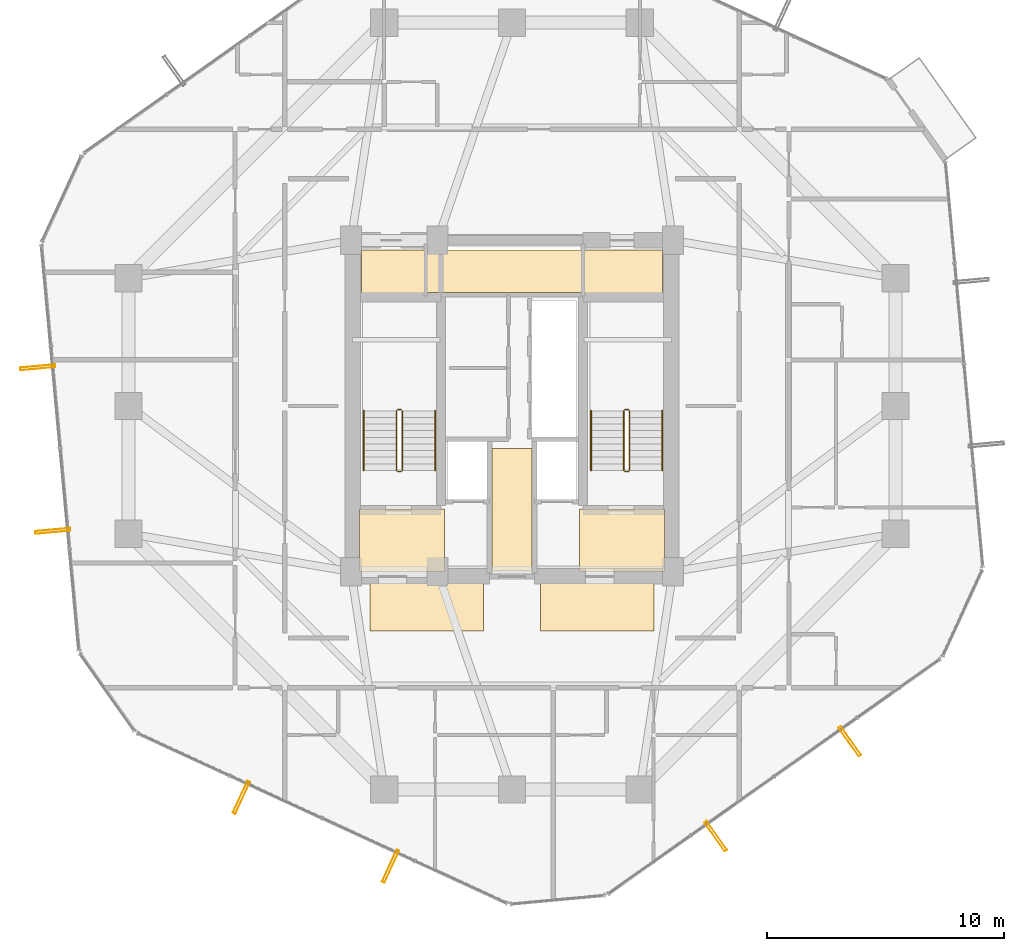
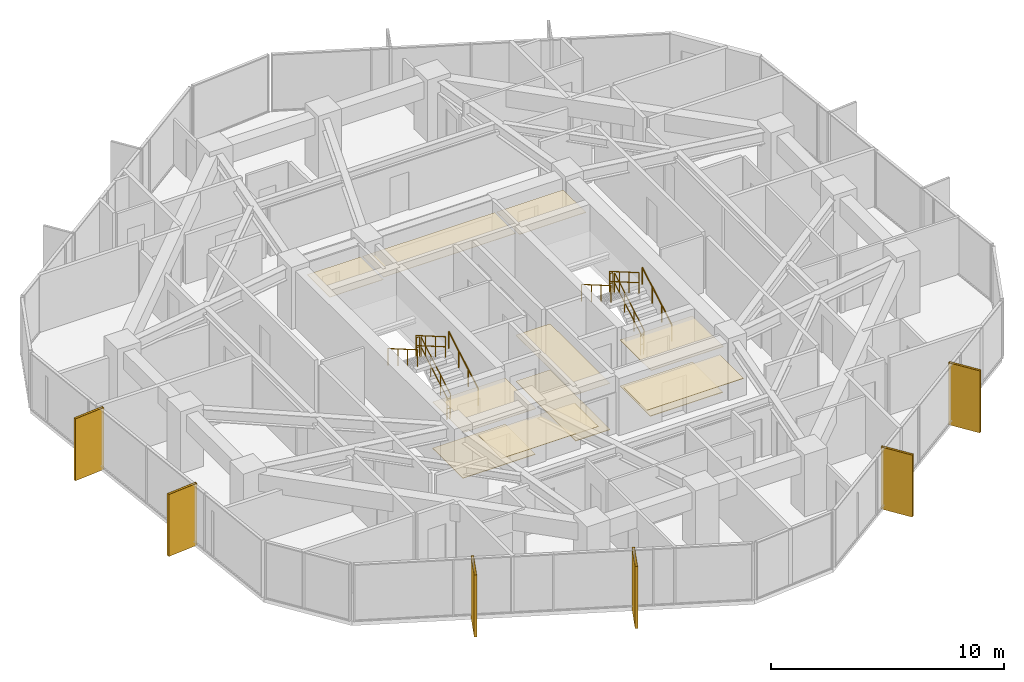
# One storey, part 32 of 33: 12 railings, 11 coverings, 6 shading devices.
"""IFC4 building model written with IfcOpenShell, lengths in metres."""

import ifcopenshell
import ifcopenshell.guid

model = None  # the IFC model being written
_history = None  # IfcOwnerHistory: only IFC2X3 demands one
_inside = {}  # id of a spatial element -> (the spatial element, [elements in it])
_under = {}  # id of a project, library or spatial element -> (it, [spatial elements below it])
_declared = {}  # id of a project -> (the project, [libraries it declares])
_typed = {}  # id of a type object -> (the type object, [elements of that type])
_made_of = {}  # id of a material, layer set ... -> (it, [elements and type objects made of it])


def new_model(schema):
    """Start an empty IFC model of exactly this schema.

    Asked for "IFC4X3", IfcOpenShell would pick the latest addendum, in which some entities
    have other attributes; the version numbers below select the first issue.
    IFC2X3 requires an IfcOwnerHistory on every rooted entity: one is made here for all.
    """
    global model, _history
    if schema == "IFC4X3":
        model = ifcopenshell.file(schema_version=(4, 3, 0, 0))
    else:
        model = ifcopenshell.file(schema=schema)
    _inside.clear()
    _under.clear()
    _declared.clear()
    _typed.clear()
    _made_of.clear()
    _history = None
    if model.schema == "IFC2X3":
        org = make("IfcOrganization", Name="unknown")
        user = make(
            "IfcPersonAndOrganization",
            ThePerson=make("IfcPerson", FamilyName="unknown"),
            TheOrganization=org,
        )
        app = make(
            "IfcApplication",
            ApplicationDeveloper=org,
            Version="unknown",
            ApplicationFullName="unknown",
            ApplicationIdentifier="unknown",
        )
        _history = make(
            "IfcOwnerHistory",
            OwningUser=user,
            OwningApplication=app,
            ChangeAction="ADDED",
            CreationDate=0,
        )
    return model


def make(cls, **values):
    """One entity of the class cls with the attributes given. An attribute that is None is left unset."""
    return model.create_entity(
        cls, **{name: value for name, value in values.items() if value is not None}
    )


def rooted(cls, **values):
    """An entity with a GlobalId (a new one), such as an element, a storey or a relation."""
    return make(cls, GlobalId=ifcopenshell.guid.new(), OwnerHistory=_history, **values)


def si_unit(unit_type, name, prefix=None):
    """IfcSIUnit, for example si_unit("LENGTHUNIT", "METRE", prefix="MILLI")."""
    return make("IfcSIUnit", UnitType=unit_type, Prefix=prefix, Name=name)


def assignment(units):
    """IfcUnitAssignment: the units of a project."""
    return None if units is None else make("IfcUnitAssignment", Units=units)


def point(xyz):
    """IfcCartesianPoint."""
    return None if xyz is None else make("IfcCartesianPoint", Coordinates=xyz)


def direction(xyz):
    """IfcDirection."""
    return None if xyz is None else make("IfcDirection", DirectionRatios=xyz)


def frame(location, z_axis=None, x_axis=None):
    """IfcAxis2Placement3D, a coordinate frame: its origin and axes. An axis left out is left unset."""
    return make(
        "IfcAxis2Placement3D",
        Location=point(location),
        Axis=direction(z_axis),
        RefDirection=direction(x_axis),
    )


def frame_2d(location, x_axis=None):
    """IfcAxis2Placement2D, a coordinate frame in the plane: its origin and x axis."""
    return make(
        "IfcAxis2Placement2D", Location=point(location), RefDirection=direction(x_axis)
    )


def origin():
    """The frame at (0, 0, 0) with its axes left unset."""
    return frame((0.0, 0.0, 0.0))


def origin_2d():
    """The frame at (0, 0) in the plane with its x axis left unset."""
    return frame_2d((0.0, 0.0))


def place(relative_to, where):
    """IfcLocalPlacement: puts the frame where relative to a parent placement (None: the world)."""
    return make(
        "IfcLocalPlacement", PlacementRelTo=relative_to, RelativePlacement=where
    )


def context(
    kind, dimensions, precision=None, world=None, true_north=None, identifier=None
):
    """IfcGeometricRepresentationContext, for example the 3D "Model" context."""
    return make(
        "IfcGeometricRepresentationContext",
        ContextIdentifier=identifier,
        ContextType=kind,
        CoordinateSpaceDimension=dimensions,
        Precision=precision,
        WorldCoordinateSystem=world,
        TrueNorth=true_north,
    )


def subcontext(parent, identifier, kind, view, scale=None):
    """IfcGeometricRepresentationSubContext, for example "Body" below "Model"."""
    return make(
        "IfcGeometricRepresentationSubContext",
        ContextIdentifier=identifier,
        ContextType=kind,
        ParentContext=parent,
        TargetScale=scale,
        TargetView=view,
    )


def project(units=None, contexts=None):
    """IfcProject with its units and contexts."""
    return rooted(
        "IfcProject",
        Name="project",
        RepresentationContexts=contexts,
        UnitsInContext=assignment(units),
    )


def spatial(cls, under=None, at=None, **own):
    """A site, building, storey or space (cls), placed at a placement, below another one or the project."""
    s = rooted(cls, ObjectPlacement=at, **own)
    if under is not None:
        _under.setdefault(under.id(), (under, []))[1].append(s)
    return s


def polyline(points):
    """IfcPolyline through the points."""
    return make("IfcPolyline", Points=[point(p) for p in points])


def profile(cls, at=None, kind="AREA", **sizes):
    """A parametric profile (cls). Its sizes go by their IFC names, for example OverallWidth=200.0."""
    return make(cls, ProfileType=kind, Position=at, **sizes)


def hollow_rectangle(**sizes):
    """IfcRectangleHollowProfileDef."""
    return profile("IfcRectangleHollowProfileDef", **sizes)


def circle(**sizes):
    """IfcCircleProfileDef."""
    return profile("IfcCircleProfileDef", **sizes)


def outline(outer, holes=None, kind="AREA"):
    """IfcArbitraryClosedProfileDef: a profile drawn as a closed curve; with holes, ...WithVoids."""
    if holes is None:
        return make("IfcArbitraryClosedProfileDef", ProfileType=kind, OuterCurve=outer)
    return make(
        "IfcArbitraryProfileDefWithVoids",
        ProfileType=kind,
        OuterCurve=outer,
        InnerCurves=holes,
    )


def extrude(swept, where, along, depth):
    """IfcExtrudedAreaSolid: the profile swept, set in the frame where, extruded along a direction by depth."""
    return make(
        "IfcExtrudedAreaSolid",
        SweptArea=swept,
        Position=where,
        ExtrudedDirection=direction(along),
        Depth=depth,
    )


def shape(context_of_items, identifier, shape_type, items):
    """IfcShapeRepresentation: the items that make up one representation, for example the "Body"."""
    return make(
        "IfcShapeRepresentation",
        ContextOfItems=context_of_items,
        RepresentationIdentifier=identifier,
        RepresentationType=shape_type,
        Items=items,
    )


def material(Name=None, Category=None):
    """IfcMaterial."""
    return make("IfcMaterial", Name=Name, Category=Category)


def layer(
    of_material, thickness, ventilated=None, Name=None, Category=None, Priority=None
):
    """IfcMaterialLayer: one layer of a wall or slab, of a material (None: an air gap)."""
    return make(
        "IfcMaterialLayer",
        Material=of_material,
        LayerThickness=thickness,
        IsVentilated=ventilated,
        Name=Name,
        Category=Category,
        Priority=Priority,
    )


def layer_set(layers, Name=None):
    """IfcMaterialLayerSet."""
    return make("IfcMaterialLayerSet", MaterialLayers=layers, LayerSetName=Name)


def material_profile(
    of_material, cross_section, Name=None, Category=None, Priority=None
):
    """IfcMaterialProfile: a cross section and its material."""
    return make(
        "IfcMaterialProfile",
        Name=Name,
        Material=of_material,
        Profile=cross_section,
        Priority=Priority,
        Category=Category,
    )


def profile_set(profiles, Name=None, composite=None):
    """IfcMaterialProfileSet."""
    return make(
        "IfcMaterialProfileSet",
        Name=Name,
        MaterialProfiles=profiles,
        CompositeProfile=composite,
    )


def made_of(thing, what):
    """Note that an element or type object is made of a material, layer set ...; save() writes the relation."""
    if what is not None:
        _made_of.setdefault(what.id(), (what, []))[1].append(thing)
    return thing


def type_object(cls, material=None, **own):
    """A type object (cls), such as IfcWallType, which elements share."""
    return made_of(rooted(cls, **own), material)


def element(
    cls,
    number,
    at=None,
    inside=None,
    cuts=None,
    type_object=None,
    material=None,
    context=None,
    identifier="Body",
    shape_type=None,
    held_by="IfcProductDefinitionShape",
    body=None,
    shapes=None,
    **own,
):
    """One element of the class cls, such as IfcWall. Its Tag is "e" and its number.

    at: its placement. inside: the storey or other place that contains it. cuts: it is an
    opening in that element (IfcRelVoidsElement). A single representation is given by context,
    identifier, shape_type and body (its items); several are given by shapes. held_by: the class
    of the entity that holds the representations. save() writes the other relations.
    """
    e = rooted(cls, Tag="e%d" % number, ObjectPlacement=at, **own)
    if body is not None:
        shapes = [shape(context, identifier, shape_type, body)]
    if shapes is not None:
        e.Representation = make(held_by, Representations=shapes)
    if inside is not None:
        _inside.setdefault(inside.id(), (inside, []))[1].append(e)
    if cuts is not None:
        rooted(
            "IfcRelVoidsElement", RelatingBuildingElement=cuts, RelatedOpeningElement=e
        )
    if type_object is not None:
        _typed.setdefault(type_object.id(), (type_object, []))[1].append(e)
    return made_of(e, material)


def aggregate(whole, parts):
    """IfcRelAggregates: a whole, such as a stair, and the parts it consists of."""
    return rooted("IfcRelAggregates", RelatingObject=whole, RelatedObjects=parts)


def save(model, path):
    """Write the relations noted so far, then the file.

    IfcRelAggregates (storeys below a building ...), IfcRelContainedInSpatialStructure (elements
    in a storey), IfcRelDefinesByType, IfcRelAssociatesMaterial and IfcRelDeclares: one each for
    every whole, place, type object, material and project.
    """
    for whole, parts in _under.values():
        aggregate(whole, parts)
    for where, things in _inside.values():
        rooted(
            "IfcRelContainedInSpatialStructure",
            RelatedElements=things,
            RelatingStructure=where,
        )
    for kind, things in _typed.values():
        rooted("IfcRelDefinesByType", RelatedObjects=things, RelatingType=kind)
    for what, things in _made_of.values():
        rooted("IfcRelAssociatesMaterial", RelatedObjects=things, RelatingMaterial=what)
    for by, libraries in _declared.values():
        rooted("IfcRelDeclares", RelatingContext=by, RelatedDefinitions=libraries)
    model.write(path)


model = new_model("IFC4")

# Units and contexts
model_context = context("Model", 3, precision=1e-05, world=origin(), true_north=direction((0.0, 1.0)))
body_context = subcontext(model_context, "Body", "Model", "MODEL_VIEW")
ifc_project = project(units=[si_unit("LENGTHUNIT", "METRE"), si_unit("AREAUNIT", "SQUARE_METRE"), si_unit("VOLUMEUNIT", "CUBIC_METRE"), si_unit("PLANEANGLEUNIT", "RADIAN"), si_unit("MASSUNIT", "GRAM", prefix="KILO")], contexts=[model_context])

# Site, building, storey
site_placement = place(None, origin())
site = spatial("IfcSite", under=ifc_project, at=site_placement, CompositionType="ELEMENT")
building_placement = place(site_placement, origin())
building = spatial("IfcBuilding", under=site, at=building_placement, Name="Veraguas Prism Commons", CompositionType="ELEMENT")
storey_placement = place(building_placement, frame((0.0, 0.0, 145.75)))
storey = spatial("IfcBuildingStorey", under=building, at=storey_placement, Name="L41", CompositionType="ELEMENT", Elevation=145.75)

# Shading devices
ifc_material_1 = material(Name="Anodised aluminium EN AW-6063 T6", Category="aluminium")
ifc_material_profile = material_profile(ifc_material_1, hollow_rectangle(XDim=0.1201171875, YDim=1.489990234375, WallThickness=0.006103515625, at=origin_2d()), Name="FIN120X1490X6")
ifc_profile_set = profile_set([ifc_material_profile], Name="Anodised aluminium EN AW-6063 T6")
shading_device_type = type_object("IfcShadingDeviceType", Name="Deep Pale-Metal Vertical Solar Fin 120x1490", PredefinedType="USERDEFINED", material=ifc_profile_set)
for number, where, z_axis, x_axis, name in (
    (1, (3.957275390625, 25.63330078125, -0.22998046875), (0.0, 0.0, 1.0), (0.092023008338, -0.995756880939, 0.0), "Vertical Pale-Metal Solar Fin L41-F3A"),
    (2, (4.595947265625, 18.72119140625, -0.22998046875), (0.0, 0.0, 1.0), (0.092023008338, -0.995756880939, 0.0), "Vertical Pale-Metal Solar Fin L41-F3B"),
    (3, (12.56396484375, 7.458984375, -0.22998046875), (0.0, 0.0, 1.0), (0.908362259055, -0.418184177516, 0.0), "Vertical Pale-Metal Solar Fin L41-F4A"),
    (4, (18.86962890625, 4.55615234375, -0.22998046875), (0.0, 0.0, 1.0), (0.908362259055, -0.418184177516, 0.0), "Vertical Pale-Metal Solar Fin L41-F4B"),
    (5, (32.606689453125, 5.82568359375, -0.22998046875), (0.0, 0.0, 1.0), (0.81634025877, 0.577571278641, 0.0), "Vertical Pale-Metal Solar Fin L41-F5A"),
    (6, (38.273681640625, 9.835205078125, -0.22998046875), (0.0, 0.0, 1.0), (0.81634025877, 0.577571278641, 0.0), "Vertical Pale-Metal Solar Fin L41-F5B"),
):
    element("IfcShadingDevice", number, at=place(storey_placement, frame(where, z_axis=z_axis, x_axis=x_axis)), inside=storey, type_object=shading_device_type, Name=name, ObjectType="FIN", PredefinedType="USERDEFINED", context=body_context, shape_type="SweptSolid", body=[
        extrude(hollow_rectangle(XDim=0.1201171875, YDim=1.489990234375, WallThickness=0.006103515625, at=origin_2d()), origin(), (0.0, 0.0, 1.0), 3.25),
    ])

# Coverings
ifc_material_2 = material(Name="Acoustic gypsum board")
ifc_layer_1 = layer(ifc_material_2, 0.02490234375, Name="Perforated Acoustic Ceiling Tile 25")
ifc_layer_set_1 = layer_set([ifc_layer_1], Name="Acoustic gypsum board")
covering_type_1 = type_object("IfcCoveringType", Name="Perforated Acoustic Ceiling Tile 25", PredefinedType="USERDEFINED", material=ifc_layer_set_1)
covering_1_placement = place(storey_placement, frame((0.0, 0.0, 2.425048828125)))
element("IfcCovering", 7, at=covering_1_placement, inside=storey, type_object=covering_type_1, Name="East Lobby Acoustic Ceiling L41", ObjectType="ACOUSTIC CEILING", PredefinedType="USERDEFINED", context=body_context, shape_type="SweptSolid", body=[
    extrude(outline(polyline([(26.85009765625, 17.0), (30.449951171875, 17.0), (30.449951171875, 19.64990234375), (26.85009765625, 19.64990234375), (26.85009765625, 17.0)])), origin(), (0.0, 0.0, 1.0), 0.02490234375),
])
ifc_material_3 = material(Name="Terrazzo stone finish", Category="masonry")
ifc_layer_2 = layer(ifc_material_3, 0.030029296875, Name="Polished Terrazzo Floor Finish 30", Category="masonry")
ifc_layer_set_2 = layer_set([ifc_layer_2], Name="Terrazzo stone finish")
covering_type_2 = type_object("IfcCoveringType", Name="Polished Terrazzo Floor Finish 30", PredefinedType="FLOORING", material=ifc_layer_set_2)
covering_2_placement = place(storey_placement, origin())
element("IfcCovering", 8, at=covering_2_placement, inside=storey, type_object=covering_type_2, Name="Terrazzo Lobby Flooring L41", PredefinedType="FLOORING", context=body_context, shape_type="SweptSolid", body=[
    extrude(outline(polyline([(23.14990234375, 17.050048828125), (24.85009765625, 17.050048828125), (24.85009765625, 22.199951171875), (23.14990234375, 22.199951171875), (23.14990234375, 17.050048828125)])), origin(), (0.0, 0.0, 1.0), 0.030029296875),
])
covering_3_placement = place(storey_placement, origin())
element("IfcCovering", 9, at=covering_3_placement, inside=storey, type_object=covering_type_2, Name="West FF Lobby Terrazzo Flooring L41", PredefinedType="FLOORING", context=body_context, shape_type="SweptSolid", body=[
    extrude(outline(polyline([(17.550048828125, 17.050048828125), (21.14990234375, 17.050048828125), (21.14990234375, 19.64990234375), (17.550048828125, 19.64990234375), (17.550048828125, 17.050048828125)])), origin(), (0.0, 0.0, 1.0), 0.030029296875),
])
covering_4_placement = place(storey_placement, origin())
element("IfcCovering", 10, at=covering_4_placement, inside=storey, type_object=covering_type_2, Name="East FF Lobby Terrazzo Flooring L41", PredefinedType="FLOORING", context=body_context, shape_type="SweptSolid", body=[
    extrude(outline(polyline([(26.85009765625, 17.050048828125), (30.449951171875, 17.050048828125), (30.449951171875, 19.64990234375), (26.85009765625, 19.64990234375), (26.85009765625, 17.050048828125)])), origin(), (0.0, 0.0, 1.0), 0.030029296875),
])

# Railings
ifc_material_4 = material(Name="Stainless steel AISI 316", Category="steel")
railing_type_1 = type_object("IfcRailingType", Name="Stair and Ramp Stainless Handrail 900", PredefinedType="HANDRAIL", material=ifc_material_4)
railing_1_placement = place(storey_placement, frame((20.75, 21.280029296875, 0.16259765625)))
element("IfcRailing", 11, at=railing_1_placement, inside=storey, type_object=railing_type_1, Name="Stair Handrail ST-01 L41-1", PredefinedType="HANDRAIL", context=body_context, shape_type="SweptSolid", body=[
    extrude(circle(Radius=0.02392578125, at=origin_2d()), frame((0.0, 0.0, 0.8759765625), z_axis=(0.0, 0.864913338283, 0.50192122615), x_axis=(-1.0, 0.0, 0.0)), (0.0, 0.0, 1.0), 2.91357421875),
    extrude(circle(Radius=0.02099609375, at=origin_2d()), origin(), (0.0, 0.0, 1.0), 0.851806640625),
    extrude(circle(Radius=0.02099609375, at=origin_2d()), frame((0.0, 0.840087890625, 0.487548828125)), (0.0, 0.0, 1.0), 0.851806640625),
    extrude(circle(Radius=0.02099609375, at=origin_2d()), frame((0.0, 1.679931640625, 0.974853515625)), (0.0, 0.0, 1.0), 0.851806640625),
    extrude(circle(Radius=0.02099609375, at=origin_2d()), frame((0.0, 2.52001953125, 1.46240234375)), (0.0, 0.0, 1.0), 0.851806640625),
])
railing_2_placement = place(storey_placement, frame((17.739990234375, 23.800048828125, 1.78759765625)))
element("IfcRailing", 12, at=railing_2_placement, inside=storey, type_object=railing_type_1, Name="Stair Handrail ST-01 L41-2", PredefinedType="HANDRAIL", context=body_context, shape_type="SweptSolid", body=[
    extrude(circle(Radius=0.02392578125, at=origin_2d()), frame((0.0, 0.0, 0.8759765625), z_axis=(0.0, -0.864913338283, 0.50192122615), x_axis=(1.0, 0.0, 0.0)), (0.0, 0.0, 1.0), 2.91357421875),
    extrude(circle(Radius=0.02099609375, at=origin_2d()), origin(), (0.0, 0.0, 1.0), 0.851806640625),
    extrude(circle(Radius=0.02099609375, at=origin_2d()), frame((0.0, -0.840087890625, 0.487548828125)), (0.0, 0.0, 1.0), 0.851806640625),
    extrude(circle(Radius=0.02099609375, at=origin_2d()), frame((0.0, -1.679931640625, 0.974853515625)), (0.0, 0.0, 1.0), 0.851806640625),
    extrude(circle(Radius=0.02099609375, at=origin_2d()), frame((0.0, -2.52001953125, 1.46240234375)), (0.0, 0.0, 1.0), 0.851806640625),
])
railing_3_placement = place(storey_placement, frame((30.35009765625, 21.280029296875, 0.16259765625)))
element("IfcRailing", 13, at=railing_3_placement, inside=storey, type_object=railing_type_1, Name="Stair Handrail ST-02 L41-1", PredefinedType="HANDRAIL", context=body_context, shape_type="SweptSolid", body=[
    extrude(circle(Radius=0.02392578125, at=origin_2d()), frame((0.0, 0.0, 0.8759765625), z_axis=(0.0, 0.864913338283, 0.50192122615), x_axis=(-1.0, 0.0, 0.0)), (0.0, 0.0, 1.0), 2.91357421875),
    extrude(circle(Radius=0.02099609375, at=origin_2d()), origin(), (0.0, 0.0, 1.0), 0.851806640625),
    extrude(circle(Radius=0.02099609375, at=origin_2d()), frame((0.0, 0.840087890625, 0.487548828125)), (0.0, 0.0, 1.0), 0.851806640625),
    extrude(circle(Radius=0.02099609375, at=origin_2d()), frame((0.0, 1.679931640625, 0.974853515625)), (0.0, 0.0, 1.0), 0.851806640625),
    extrude(circle(Radius=0.02099609375, at=origin_2d()), frame((0.0, 2.52001953125, 1.46240234375)), (0.0, 0.0, 1.0), 0.851806640625),
])
railing_4_placement = place(storey_placement, frame((27.340087890625, 23.800048828125, 1.78759765625)))
element("IfcRailing", 14, at=railing_4_placement, inside=storey, type_object=railing_type_1, Name="Stair Handrail ST-02 L41-2", PredefinedType="HANDRAIL", context=body_context, shape_type="SweptSolid", body=[
    extrude(circle(Radius=0.02392578125, at=origin_2d()), frame((0.0, 0.0, 0.8759765625), z_axis=(0.0, -0.864913338283, 0.50192122615), x_axis=(1.0, 0.0, 0.0)), (0.0, 0.0, 1.0), 2.91357421875),
    extrude(circle(Radius=0.02099609375, at=origin_2d()), origin(), (0.0, 0.0, 1.0), 0.851806640625),
    extrude(circle(Radius=0.02099609375, at=origin_2d()), frame((0.0, -0.840087890625, 0.487548828125)), (0.0, 0.0, 1.0), 0.851806640625),
    extrude(circle(Radius=0.02099609375, at=origin_2d()), frame((0.0, -1.679931640625, 0.974853515625)), (0.0, 0.0, 1.0), 0.851806640625),
    extrude(circle(Radius=0.02099609375, at=origin_2d()), frame((0.0, -2.52001953125, 1.46240234375)), (0.0, 0.0, 1.0), 0.851806640625),
])
railing_type_2 = type_object("IfcRailingType", Name="Stairwell Safety Guardrail 1100", PredefinedType="GUARDRAIL", material=ifc_material_4)
railing_5_placement = place(storey_placement, frame((19.3701171875, 21.280029296875, 0.16259765625)))
element("IfcRailing", 15, at=railing_5_placement, inside=storey, type_object=railing_type_2, Name="Stair Guard ST-01 L41-1", PredefinedType="GUARDRAIL", context=body_context, shape_type="SweptSolid", body=[
    extrude(circle(Radius=0.02392578125, at=origin_2d()), frame((0.0, 0.0, 1.076171875), z_axis=(0.0, 0.864913338283, 0.50192122615), x_axis=(-1.0, 0.0, 0.0)), (0.0, 0.0, 1.0), 2.91357421875),
    extrude(circle(Radius=0.02392578125, at=origin_2d()), frame((0.0, 0.0, 0.550048828125), z_axis=(0.0, 0.864913338283, 0.50192122615), x_axis=(-1.0, 0.0, 0.0)), (0.0, 0.0, 1.0), 2.91357421875),
    extrude(circle(Radius=0.02099609375, at=origin_2d()), origin(), (0.0, 0.0, 1.0), 1.052001953125),
    extrude(circle(Radius=0.02099609375, at=origin_2d()), frame((0.0, 0.840087890625, 0.487548828125)), (0.0, 0.0, 1.0), 1.052001953125),
    extrude(circle(Radius=0.02099609375, at=origin_2d()), frame((0.0, 1.679931640625, 0.974853515625)), (0.0, 0.0, 1.0), 1.052001953125),
    extrude(circle(Radius=0.02099609375, at=origin_2d()), frame((0.0, 2.52001953125, 1.46240234375)), (0.0, 0.0, 1.0), 1.052001953125),
])
railing_6_placement = place(storey_placement, frame((19.320068359375, 23.85009765625, 1.625)))
element("IfcRailing", 16, at=railing_6_placement, inside=storey, type_object=railing_type_2, Name="Stair Guard ST-01 L41-2", PredefinedType="GUARDRAIL", context=body_context, shape_type="SweptSolid", body=[
    extrude(circle(Radius=0.02392578125, at=origin_2d()), frame((0.0, 0.0, 1.076171875), z_axis=(-1.0, 0.0, 0.0), x_axis=(0.0, -1.0, 0.0)), (0.0, 0.0, 1.0), 0.150146484375),
    extrude(circle(Radius=0.02392578125, at=origin_2d()), frame((0.0, 0.0, 0.550048828125), z_axis=(-1.0, 0.0, 0.0), x_axis=(0.0, -1.0, 0.0)), (0.0, 0.0, 1.0), 0.150146484375),
    extrude(circle(Radius=0.02099609375, at=origin_2d()), origin(), (0.0, 0.0, 1.0), 1.052001953125),
    extrude(circle(Radius=0.02099609375, at=origin_2d()), frame((-0.150146484375, 0.0, 0.0)), (0.0, 0.0, 1.0), 1.052001953125),
])
railing_7_placement = place(storey_placement, frame((19.1201171875, 23.800048828125, 1.78759765625)))
element("IfcRailing", 17, at=railing_7_placement, inside=storey, type_object=railing_type_2, Name="Stair Guard ST-01 L41-3", PredefinedType="GUARDRAIL", context=body_context, shape_type="SweptSolid", body=[
    extrude(circle(Radius=0.02392578125, at=origin_2d()), frame((0.0, 0.0, 1.076171875), z_axis=(0.0, -0.864913338283, 0.50192122615), x_axis=(1.0, 0.0, 0.0)), (0.0, 0.0, 1.0), 2.91357421875),
    extrude(circle(Radius=0.02392578125, at=origin_2d()), frame((0.0, 0.0, 0.550048828125), z_axis=(0.0, -0.864913338283, 0.50192122615), x_axis=(1.0, 0.0, 0.0)), (0.0, 0.0, 1.0), 2.91357421875),
    extrude(circle(Radius=0.02099609375, at=origin_2d()), origin(), (0.0, 0.0, 1.0), 1.052001953125),
    extrude(circle(Radius=0.02099609375, at=origin_2d()), frame((0.0, -0.840087890625, 0.487548828125)), (0.0, 0.0, 1.0), 1.052001953125),
    extrude(circle(Radius=0.02099609375, at=origin_2d()), frame((0.0, -1.679931640625, 0.974853515625)), (0.0, 0.0, 1.0), 1.052001953125),
    extrude(circle(Radius=0.02099609375, at=origin_2d()), frame((0.0, -2.52001953125, 1.46240234375)), (0.0, 0.0, 1.0), 1.052001953125),
])
railing_8_placement = place(storey_placement, frame((19.320068359375, 21.22998046875, 0.0)))
element("IfcRailing", 18, at=railing_8_placement, inside=storey, type_object=railing_type_2, Name="Stair Guard ST-01 L41-4", PredefinedType="GUARDRAIL", context=body_context, shape_type="SweptSolid", body=[
    extrude(circle(Radius=0.02392578125, at=origin_2d()), frame((0.0, 0.0, 1.076171875), z_axis=(-1.0, 0.0, 0.0), x_axis=(0.0, -1.0, 0.0)), (0.0, 0.0, 1.0), 0.150146484375),
    extrude(circle(Radius=0.02392578125, at=origin_2d()), frame((0.0, 0.0, 0.550048828125), z_axis=(-1.0, 0.0, 0.0), x_axis=(0.0, -1.0, 0.0)), (0.0, 0.0, 1.0), 0.150146484375),
    extrude(circle(Radius=0.02099609375, at=origin_2d()), origin(), (0.0, 0.0, 1.0), 1.052001953125),
    extrude(circle(Radius=0.02099609375, at=origin_2d()), frame((-0.150146484375, 0.0, 0.0)), (0.0, 0.0, 1.0), 1.052001953125),
])
railing_9_placement = place(storey_placement, frame((28.969970703125, 21.280029296875, 0.16259765625)))
element("IfcRailing", 19, at=railing_9_placement, inside=storey, type_object=railing_type_2, Name="Stair Guard ST-02 L41-1", PredefinedType="GUARDRAIL", context=body_context, shape_type="SweptSolid", body=[
    extrude(circle(Radius=0.02392578125, at=origin_2d()), frame((0.0, 0.0, 1.076171875), z_axis=(0.0, 0.864913338283, 0.50192122615), x_axis=(-1.0, 0.0, 0.0)), (0.0, 0.0, 1.0), 2.91357421875),
    extrude(circle(Radius=0.02392578125, at=origin_2d()), frame((0.0, 0.0, 0.550048828125), z_axis=(0.0, 0.864913338283, 0.50192122615), x_axis=(-1.0, 0.0, 0.0)), (0.0, 0.0, 1.0), 2.91357421875),
    extrude(circle(Radius=0.02099609375, at=origin_2d()), origin(), (0.0, 0.0, 1.0), 1.052001953125),
    extrude(circle(Radius=0.02099609375, at=origin_2d()), frame((0.0, 0.840087890625, 0.487548828125)), (0.0, 0.0, 1.0), 1.052001953125),
    extrude(circle(Radius=0.02099609375, at=origin_2d()), frame((0.0, 1.679931640625, 0.974853515625)), (0.0, 0.0, 1.0), 1.052001953125),
    extrude(circle(Radius=0.02099609375, at=origin_2d()), frame((0.0, 2.52001953125, 1.46240234375)), (0.0, 0.0, 1.0), 1.052001953125),
])
railing_10_placement = place(storey_placement, frame((28.919921875, 23.85009765625, 1.625)))
element("IfcRailing", 20, at=railing_10_placement, inside=storey, type_object=railing_type_2, Name="Stair Guard ST-02 L41-2", PredefinedType="GUARDRAIL", context=body_context, shape_type="SweptSolid", body=[
    extrude(circle(Radius=0.02392578125, at=origin_2d()), frame((0.0, 0.0, 1.076171875), z_axis=(-1.0, 0.0, 0.0), x_axis=(0.0, -1.0, 0.0)), (0.0, 0.0, 1.0), 0.14990234375),
    extrude(circle(Radius=0.02392578125, at=origin_2d()), frame((0.0, 0.0, 0.550048828125), z_axis=(-1.0, 0.0, 0.0), x_axis=(0.0, -1.0, 0.0)), (0.0, 0.0, 1.0), 0.14990234375),
    extrude(circle(Radius=0.02099609375, at=origin_2d()), origin(), (0.0, 0.0, 1.0), 1.052001953125),
    extrude(circle(Radius=0.02099609375, at=origin_2d()), frame((-0.14990234375, 0.0, 0.0)), (0.0, 0.0, 1.0), 1.052001953125),
])
railing_11_placement = place(storey_placement, frame((28.719970703125, 23.800048828125, 1.78759765625)))
element("IfcRailing", 21, at=railing_11_placement, inside=storey, type_object=railing_type_2, Name="Stair Guard ST-02 L41-3", PredefinedType="GUARDRAIL", context=body_context, shape_type="SweptSolid", body=[
    extrude(circle(Radius=0.02392578125, at=origin_2d()), frame((0.0, 0.0, 1.076171875), z_axis=(0.0, -0.864913338283, 0.50192122615), x_axis=(1.0, 0.0, 0.0)), (0.0, 0.0, 1.0), 2.91357421875),
    extrude(circle(Radius=0.02392578125, at=origin_2d()), frame((0.0, 0.0, 0.550048828125), z_axis=(0.0, -0.864913338283, 0.50192122615), x_axis=(1.0, 0.0, 0.0)), (0.0, 0.0, 1.0), 2.91357421875),
    extrude(circle(Radius=0.02099609375, at=origin_2d()), origin(), (0.0, 0.0, 1.0), 1.052001953125),
    extrude(circle(Radius=0.02099609375, at=origin_2d()), frame((0.0, -0.840087890625, 0.487548828125)), (0.0, 0.0, 1.0), 1.052001953125),
    extrude(circle(Radius=0.02099609375, at=origin_2d()), frame((0.0, -1.679931640625, 0.974853515625)), (0.0, 0.0, 1.0), 1.052001953125),
    extrude(circle(Radius=0.02099609375, at=origin_2d()), frame((0.0, -2.52001953125, 1.46240234375)), (0.0, 0.0, 1.0), 1.052001953125),
])
railing_12_placement = place(storey_placement, frame((28.919921875, 21.22998046875, 0.0)))
element("IfcRailing", 22, at=railing_12_placement, inside=storey, type_object=railing_type_2, Name="Stair Guard ST-02 L41-4", PredefinedType="GUARDRAIL", context=body_context, shape_type="SweptSolid", body=[
    extrude(circle(Radius=0.02392578125, at=origin_2d()), frame((0.0, 0.0, 1.076171875), z_axis=(-1.0, 0.0, 0.0), x_axis=(0.0, -1.0, 0.0)), (0.0, 0.0, 1.0), 0.14990234375),
    extrude(circle(Radius=0.02392578125, at=origin_2d()), frame((0.0, 0.0, 0.550048828125), z_axis=(-1.0, 0.0, 0.0), x_axis=(0.0, -1.0, 0.0)), (0.0, 0.0, 1.0), 0.14990234375),
    extrude(circle(Radius=0.02099609375, at=origin_2d()), origin(), (0.0, 0.0, 1.0), 1.052001953125),
    extrude(circle(Radius=0.02099609375, at=origin_2d()), frame((-0.14990234375, 0.0, 0.0)), (0.0, 0.0, 1.0), 1.052001953125),
])

# Coverings
ifc_layer_3 = layer(ifc_material_2, 0.02001953125, Name="Suspended Gypsum Ceiling 20")
ifc_layer_set_3 = layer_set([ifc_layer_3], Name="Acoustic gypsum board")
covering_type_3 = type_object("IfcCoveringType", Name="Suspended Gypsum Ceiling 20", PredefinedType="CEILING", material=ifc_layer_set_3)
covering_5_placement = place(storey_placement, frame((0.0, 0.0, 2.429931640625)))
element("IfcCovering", 23, at=covering_5_placement, inside=storey, type_object=covering_type_3, Name="West Lobby Suspended Gypsum Ceiling L41", PredefinedType="CEILING", context=body_context, shape_type="SweptSolid", body=[
    extrude(outline(polyline([(17.550048828125, 17.0), (21.14990234375, 17.0), (21.14990234375, 19.64990234375), (17.550048828125, 19.64990234375), (17.550048828125, 17.0)])), origin(), (0.0, 0.0, 1.0), 0.02001953125),
])
covering_6_placement = place(storey_placement, frame((0.0, 0.0, 2.429931640625)))
element("IfcCovering", 24, at=covering_6_placement, inside=storey, type_object=covering_type_3, Name="Core Lobby Acoustic Ceiling L41-1", PredefinedType="CEILING", context=body_context, shape_type="SweptSolid", body=[
    extrude(outline(polyline([(18.0, 14.5), (22.800048828125, 14.5), (22.800048828125, 16.550048828125), (18.0, 16.550048828125), (18.0, 14.5)])), origin(), (0.0, 0.0, 1.0), 0.02001953125),
])
covering_7_placement = place(storey_placement, frame((0.0, 0.0, 2.429931640625)))
element("IfcCovering", 25, at=covering_7_placement, inside=storey, type_object=covering_type_3, Name="Core Lobby Acoustic Ceiling L41-2", PredefinedType="CEILING", context=body_context, shape_type="SweptSolid", body=[
    extrude(outline(polyline([(25.199951171875, 14.5), (30.0, 14.5), (30.0, 16.550048828125), (25.199951171875, 16.550048828125), (25.199951171875, 14.5)])), origin(), (0.0, 0.0, 1.0), 0.02001953125),
])
covering_8_placement = place(storey_placement, frame((0.0, 0.0, 2.429931640625)))
element("IfcCovering", 26, at=covering_8_placement, inside=storey, type_object=covering_type_3, Name="Core Lobby Acoustic Ceiling L41-3", PredefinedType="CEILING", context=body_context, shape_type="SweptSolid", body=[
    extrude(outline(polyline([(23.14990234375, 17.050048828125), (24.85009765625, 17.050048828125), (24.85009765625, 22.199951171875), (23.14990234375, 22.199951171875), (23.14990234375, 17.050048828125)])), origin(), (0.0, 0.0, 1.0), 0.02001953125),
])
covering_9_placement = place(storey_placement, frame((0.0, 0.0, 2.429931640625)))
element("IfcCovering", 27, at=covering_9_placement, inside=storey, type_object=covering_type_3, Name="Core Lobby Acoustic Ceiling L41-4", PredefinedType="CEILING", context=body_context, shape_type="SweptSolid", body=[
    extrude(outline(polyline([(17.64990234375, 28.64990234375), (20.300048828125, 28.64990234375), (20.300048828125, 30.60009765625), (17.64990234375, 30.60009765625), (17.64990234375, 28.64990234375)])), origin(), (0.0, 0.0, 1.0), 0.02001953125),
])
covering_10_placement = place(storey_placement, frame((0.0, 0.0, 2.429931640625)))
element("IfcCovering", 28, at=covering_10_placement, inside=storey, type_object=covering_type_3, Name="Core Lobby Acoustic Ceiling L41-5", PredefinedType="CEILING", context=body_context, shape_type="SweptSolid", body=[
    extrude(outline(polyline([(27.050048828125, 28.64990234375), (30.35009765625, 28.64990234375), (30.35009765625, 30.60009765625), (27.050048828125, 30.60009765625), (27.050048828125, 28.64990234375)])), origin(), (0.0, 0.0, 1.0), 0.02001953125),
])
covering_11_placement = place(storey_placement, frame((0.0, 0.0, 2.429931640625)))
element("IfcCovering", 29, at=covering_11_placement, inside=storey, type_object=covering_type_3, Name="Core Lobby Acoustic Ceiling L41-6", PredefinedType="CEILING", context=body_context, shape_type="SweptSolid", body=[
    extrude(outline(polyline([(20.39990234375, 28.800048828125), (26.949951171875, 28.800048828125), (26.949951171875, 30.60009765625), (20.39990234375, 30.60009765625), (20.39990234375, 28.800048828125)])), origin(), (0.0, 0.0, 1.0), 0.02001953125),
])

save(model, "model.ifc")
